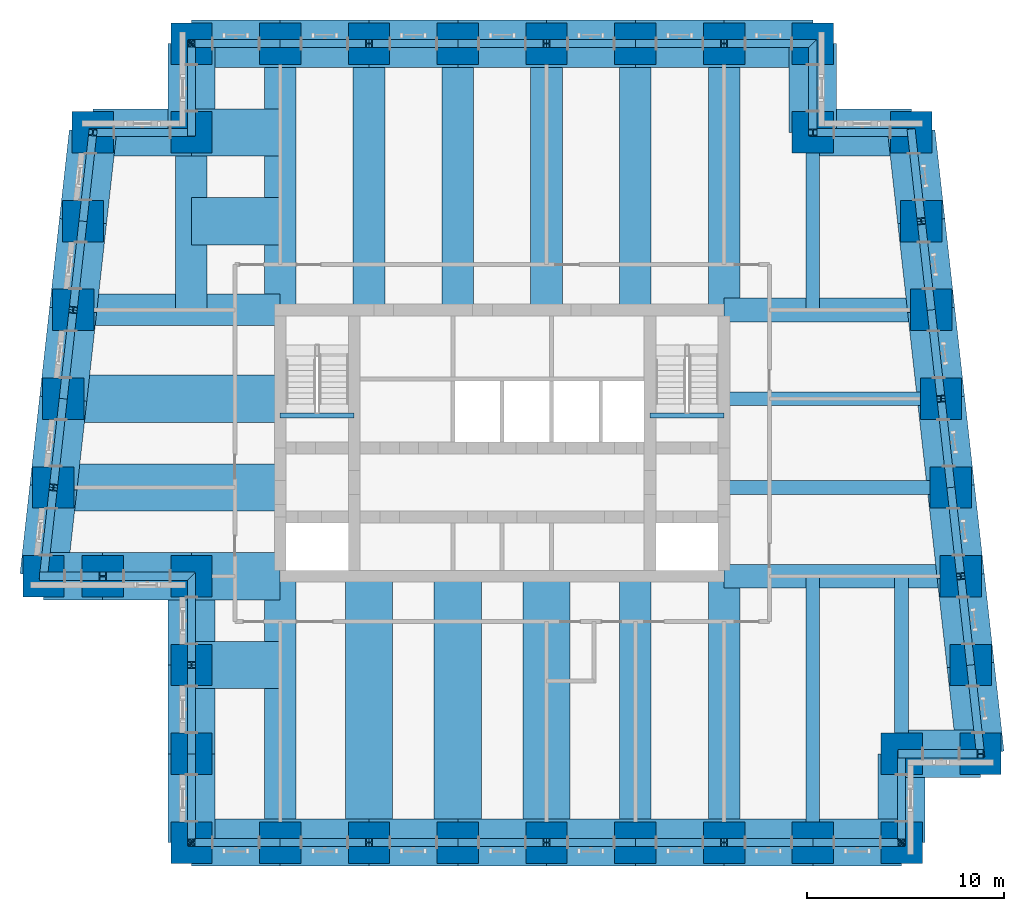
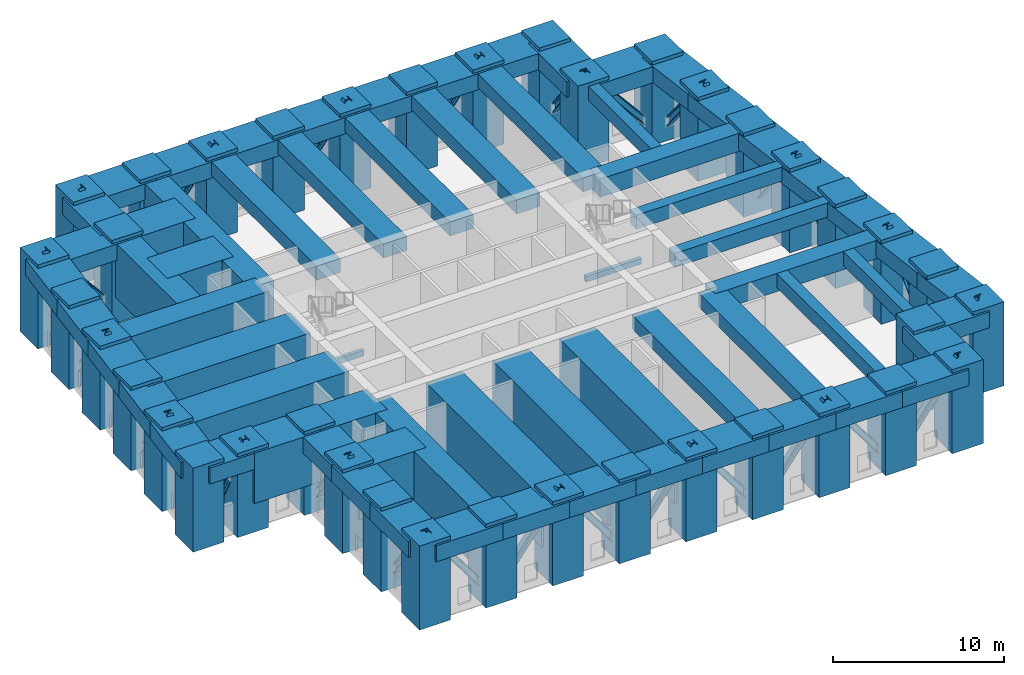
# One storey, part 1 of 17: 67 beams, 38 columns, 38 members.
"""IFC4 building model written with IfcOpenShell, lengths in metres."""

import ifcopenshell
import ifcopenshell.guid

model = None  # the IFC model being written
_history = None  # IfcOwnerHistory: only IFC2X3 demands one
_inside = {}  # id of a spatial element -> (the spatial element, [elements in it])
_under = {}  # id of a project, library or spatial element -> (it, [spatial elements below it])
_declared = {}  # id of a project -> (the project, [libraries it declares])
_typed = {}  # id of a type object -> (the type object, [elements of that type])
_made_of = {}  # id of a material, layer set ... -> (it, [elements and type objects made of it])


def new_model(schema):
    """Start an empty IFC model of exactly this schema.

    Asked for "IFC4X3", IfcOpenShell would pick the latest addendum, in which some entities
    have other attributes; the version numbers below select the first issue.
    IFC2X3 requires an IfcOwnerHistory on every rooted entity: one is made here for all.
    """
    global model, _history
    if schema == "IFC4X3":
        model = ifcopenshell.file(schema_version=(4, 3, 0, 0))
    else:
        model = ifcopenshell.file(schema=schema)
    _inside.clear()
    _under.clear()
    _declared.clear()
    _typed.clear()
    _made_of.clear()
    _history = None
    if model.schema == "IFC2X3":
        org = make("IfcOrganization", Name="unknown")
        user = make(
            "IfcPersonAndOrganization",
            ThePerson=make("IfcPerson", FamilyName="unknown"),
            TheOrganization=org,
        )
        app = make(
            "IfcApplication",
            ApplicationDeveloper=org,
            Version="unknown",
            ApplicationFullName="unknown",
            ApplicationIdentifier="unknown",
        )
        _history = make(
            "IfcOwnerHistory",
            OwningUser=user,
            OwningApplication=app,
            ChangeAction="ADDED",
            CreationDate=0,
        )
    return model


def make(cls, **values):
    """One entity of the class cls with the attributes given. An attribute that is None is left unset."""
    return model.create_entity(
        cls, **{name: value for name, value in values.items() if value is not None}
    )


def rooted(cls, **values):
    """An entity with a GlobalId (a new one), such as an element, a storey or a relation."""
    return make(cls, GlobalId=ifcopenshell.guid.new(), OwnerHistory=_history, **values)


def si_unit(unit_type, name, prefix=None):
    """IfcSIUnit, for example si_unit("LENGTHUNIT", "METRE", prefix="MILLI")."""
    return make("IfcSIUnit", UnitType=unit_type, Prefix=prefix, Name=name)


def assignment(units):
    """IfcUnitAssignment: the units of a project."""
    return None if units is None else make("IfcUnitAssignment", Units=units)


def point(xyz):
    """IfcCartesianPoint."""
    return None if xyz is None else make("IfcCartesianPoint", Coordinates=xyz)


def direction(xyz):
    """IfcDirection."""
    return None if xyz is None else make("IfcDirection", DirectionRatios=xyz)


def frame(location, z_axis=None, x_axis=None):
    """IfcAxis2Placement3D, a coordinate frame: its origin and axes. An axis left out is left unset."""
    return make(
        "IfcAxis2Placement3D",
        Location=point(location),
        Axis=direction(z_axis),
        RefDirection=direction(x_axis),
    )


def frame_2d(location, x_axis=None):
    """IfcAxis2Placement2D, a coordinate frame in the plane: its origin and x axis."""
    return make(
        "IfcAxis2Placement2D", Location=point(location), RefDirection=direction(x_axis)
    )


def origin():
    """The frame at (0, 0, 0) with its axes left unset."""
    return frame((0.0, 0.0, 0.0))


def origin_2d():
    """The frame at (0, 0) in the plane with its x axis left unset."""
    return frame_2d((0.0, 0.0))


def place(relative_to, where):
    """IfcLocalPlacement: puts the frame where relative to a parent placement (None: the world)."""
    return make(
        "IfcLocalPlacement", PlacementRelTo=relative_to, RelativePlacement=where
    )


def context(
    kind, dimensions, precision=None, world=None, true_north=None, identifier=None
):
    """IfcGeometricRepresentationContext, for example the 3D "Model" context."""
    return make(
        "IfcGeometricRepresentationContext",
        ContextIdentifier=identifier,
        ContextType=kind,
        CoordinateSpaceDimension=dimensions,
        Precision=precision,
        WorldCoordinateSystem=world,
        TrueNorth=true_north,
    )


def subcontext(parent, identifier, kind, view, scale=None):
    """IfcGeometricRepresentationSubContext, for example "Body" below "Model"."""
    return make(
        "IfcGeometricRepresentationSubContext",
        ContextIdentifier=identifier,
        ContextType=kind,
        ParentContext=parent,
        TargetScale=scale,
        TargetView=view,
    )


def project(units=None, contexts=None):
    """IfcProject with its units and contexts."""
    return rooted(
        "IfcProject",
        Name="project",
        RepresentationContexts=contexts,
        UnitsInContext=assignment(units),
    )


def spatial(cls, under=None, at=None, **own):
    """A site, building, storey or space (cls), placed at a placement, below another one or the project."""
    s = rooted(cls, ObjectPlacement=at, **own)
    if under is not None:
        _under.setdefault(under.id(), (under, []))[1].append(s)
    return s


def profile(cls, at=None, kind="AREA", **sizes):
    """A parametric profile (cls). Its sizes go by their IFC names, for example OverallWidth=200.0."""
    return make(cls, ProfileType=kind, Position=at, **sizes)


def rectangle(**sizes):
    """IfcRectangleProfileDef."""
    return profile("IfcRectangleProfileDef", **sizes)


def i_section(**sizes):
    """IfcIShapeProfileDef."""
    return profile("IfcIShapeProfileDef", **sizes)


def extrude(swept, where, along, depth):
    """IfcExtrudedAreaSolid: the profile swept, set in the frame where, extruded along a direction by depth."""
    return make(
        "IfcExtrudedAreaSolid",
        SweptArea=swept,
        Position=where,
        ExtrudedDirection=direction(along),
        Depth=depth,
    )


def shape(context_of_items, identifier, shape_type, items):
    """IfcShapeRepresentation: the items that make up one representation, for example the "Body"."""
    return make(
        "IfcShapeRepresentation",
        ContextOfItems=context_of_items,
        RepresentationIdentifier=identifier,
        RepresentationType=shape_type,
        Items=items,
    )


def material(Name=None, Category=None):
    """IfcMaterial."""
    return make("IfcMaterial", Name=Name, Category=Category)


def material_profile(
    of_material, cross_section, Name=None, Category=None, Priority=None
):
    """IfcMaterialProfile: a cross section and its material."""
    return make(
        "IfcMaterialProfile",
        Name=Name,
        Material=of_material,
        Profile=cross_section,
        Priority=Priority,
        Category=Category,
    )


def profile_set(profiles, Name=None, composite=None):
    """IfcMaterialProfileSet."""
    return make(
        "IfcMaterialProfileSet",
        Name=Name,
        MaterialProfiles=profiles,
        CompositeProfile=composite,
    )


def made_of(thing, what):
    """Note that an element or type object is made of a material, layer set ...; save() writes the relation."""
    if what is not None:
        _made_of.setdefault(what.id(), (what, []))[1].append(thing)
    return thing


def type_object(cls, material=None, **own):
    """A type object (cls), such as IfcWallType, which elements share."""
    return made_of(rooted(cls, **own), material)


def element(
    cls,
    number,
    at=None,
    inside=None,
    cuts=None,
    type_object=None,
    material=None,
    context=None,
    identifier="Body",
    shape_type=None,
    held_by="IfcProductDefinitionShape",
    body=None,
    shapes=None,
    **own,
):
    """One element of the class cls, such as IfcWall. Its Tag is "e" and its number.

    at: its placement. inside: the storey or other place that contains it. cuts: it is an
    opening in that element (IfcRelVoidsElement). A single representation is given by context,
    identifier, shape_type and body (its items); several are given by shapes. held_by: the class
    of the entity that holds the representations. save() writes the other relations.
    """
    e = rooted(cls, Tag="e%d" % number, ObjectPlacement=at, **own)
    if body is not None:
        shapes = [shape(context, identifier, shape_type, body)]
    if shapes is not None:
        e.Representation = make(held_by, Representations=shapes)
    if inside is not None:
        _inside.setdefault(inside.id(), (inside, []))[1].append(e)
    if cuts is not None:
        rooted(
            "IfcRelVoidsElement", RelatingBuildingElement=cuts, RelatedOpeningElement=e
        )
    if type_object is not None:
        _typed.setdefault(type_object.id(), (type_object, []))[1].append(e)
    return made_of(e, material)


def aggregate(whole, parts):
    """IfcRelAggregates: a whole, such as a stair, and the parts it consists of."""
    return rooted("IfcRelAggregates", RelatingObject=whole, RelatedObjects=parts)


def save(model, path):
    """Write the relations noted so far, then the file.

    IfcRelAggregates (storeys below a building ...), IfcRelContainedInSpatialStructure (elements
    in a storey), IfcRelDefinesByType, IfcRelAssociatesMaterial and IfcRelDeclares: one each for
    every whole, place, type object, material and project.
    """
    for whole, parts in _under.values():
        aggregate(whole, parts)
    for where, things in _inside.values():
        rooted(
            "IfcRelContainedInSpatialStructure",
            RelatedElements=things,
            RelatingStructure=where,
        )
    for kind, things in _typed.values():
        rooted("IfcRelDefinesByType", RelatedObjects=things, RelatingType=kind)
    for what, things in _made_of.values():
        rooted("IfcRelAssociatesMaterial", RelatedObjects=things, RelatingMaterial=what)
    for by, libraries in _declared.values():
        rooted("IfcRelDeclares", RelatingContext=by, RelatedDefinitions=libraries)
    model.write(path)


model = new_model("IFC4")

# Units and contexts
model_context = context("Model", 3, precision=1e-05, world=origin(), true_north=direction((0.0, 1.0)))
body_context = subcontext(model_context, "Body", "Model", "MODEL_VIEW")
ifc_project = project(units=[si_unit("LENGTHUNIT", "METRE"), si_unit("AREAUNIT", "SQUARE_METRE"), si_unit("VOLUMEUNIT", "CUBIC_METRE"), si_unit("PLANEANGLEUNIT", "RADIAN"), si_unit("MASSUNIT", "GRAM", prefix="KILO")], contexts=[model_context])

# Site, building, storey
site_placement = place(None, origin())
site = spatial("IfcSite", under=ifc_project, at=site_placement, CompositionType="ELEMENT")
building_placement = place(site_placement, origin())
building = spatial("IfcBuilding", under=site, at=building_placement, Name="Kilele Tower Hotel", CompositionType="ELEMENT")
storey_placement = place(building_placement, frame((0.0, 0.0, 211.39990234375)))
storey = spatial("IfcBuildingStorey", under=building, at=storey_placement, Name="L55", CompositionType="ELEMENT", Elevation=211.39990234375)

# Columns
ifc_material_1 = material(Name="Concrete C60/75", Category="concrete")
ifc_material_profile_1 = material_profile(ifc_material_1, rectangle(XDim=2.10009765625, YDim=2.10009765625, at=origin_2d()))
ifc_profile_set_1 = profile_set([ifc_material_profile_1], Name="Concrete C60/75")
column_type = type_object("IfcColumnType", Name="Tube column RC 2100x2100 C60/75", PredefinedType="COLUMN", material=ifc_profile_set_1)
for number, where, z_axis, x_axis, name in (
    (1, (1.5, 13.5, 0.0), (0.0, 0.0, 1.0), (1.0, 0.0, 0.0), "Column TC7 L55"),
    (2, (4.5, 13.5, 0.0), (0.0, 0.0, 1.0), (1.0, 0.0, 0.0), "Column TC7 L55"),
    (3, (9.0, 13.5, 0.0), (0.0, 0.0, 1.0), (1.0, 0.0, 0.0), "Column TC7 L55"),
    (4, (9.0, 9.0, 0.0), (0.0, 0.0, 1.0), (1.0, 0.0, 0.0), "Column TC7 L55"),
    (5, (9.0, 4.5, 0.0), (0.0, 0.0, 1.0), (1.0, 0.0, 0.0), "Column TC7 L55"),
    (6, (9.0, 0.0, 0.0), (0.0, 0.0, 1.0), (1.0, 0.0, 0.0), "Column TC7 L55"),
    (7, (13.5, 0.0, 0.0), (0.0, 0.0, 1.0), (1.0, 0.0, 0.0), "Column TC7 L55"),
    (8, (18.0, 0.0, 0.0), (0.0, 0.0, 1.0), (1.0, 0.0, 0.0), "Column TC7 L55"),
    (9, (22.5, 0.0, 0.0), (0.0, 0.0, 1.0), (1.0, 0.0, 0.0), "Column TC7 L55"),
    (10, (27.0, 0.0, 0.0), (0.0, 0.0, 1.0), (1.0, 0.0, 0.0), "Column TC7 L55"),
    (11, (31.5, 0.0, 0.0), (0.0, 0.0, 1.0), (1.0, 0.0, 0.0), "Column TC7 L55"),
    (12, (36.0, 0.0, 0.0), (0.0, 0.0, 1.0), (1.0, 0.0, 0.0), "Column TC7 L55"),
    (13, (40.5, 0.0, 0.0), (0.0, 0.0, 1.0), (1.0, 0.0, 0.0), "Column TC7 L55"),
    (14, (45.0, 0.0, 0.0), (0.0, 0.0, 1.0), (1.0, 0.0, 0.0), "Column TC7 L55"),
    (15, (45.0, 4.5, 0.0), (0.0, 0.0, 1.0), (1.0, 0.0, 0.0), "Column TC7 L55"),
    (16, (49.0, 4.5, 0.0), (0.0, 0.0, 1.0), (1.0, 0.0, 0.0), "Column TC7 L55"),
    (17, (48.5, 9.0, 0.0), (0.0, 0.0, 1.0), (1.0, 0.0, 0.0), "Column TC7 L55"),
    (18, (48.0, 13.5, 0.0), (0.0, 0.0, 1.0), (1.0, 0.0, 0.0), "Column TC7 L55"),
    (19, (47.5, 18.0, 0.0), (0.0, 0.0, 1.0), (1.0, 0.0, 0.0), "Column TC7 L55"),
    (20, (47.0, 22.5, 0.0), (0.0, 0.0, 1.0), (1.0, 0.0, 0.0), "Column TC7 L55"),
    (21, (46.5, 27.0, 0.0), (0.0, 0.0, 1.0), (1.0, 0.0, 0.0), "Column TC7 L55"),
    (22, (46.0, 31.5, 0.0), (0.0, 0.0, 1.0), (1.0, 0.0, 0.0), "Column TC7 L55"),
    (23, (45.5, 36.0, 0.0), (0.0, 0.0, 1.0), (1.0, 0.0, 0.0), "Column TC7 L55"),
    (24, (40.5, 36.0, 0.0), (0.0, 0.0, 1.0), (1.0, 0.0, 0.0), "Column TC7 L55"),
    (25, (40.5, 40.5, 0.0), (0.0, 0.0, 1.0), (1.0, 0.0, 0.0), "Column TC7 L55"),
    (26, (36.0, 40.5, 0.0), (0.0, 0.0, 1.0), (1.0, 0.0, 0.0), "Column TC7 L55"),
    (27, (31.5, 40.5, 0.0), (0.0, 0.0, 1.0), (1.0, 0.0, 0.0), "Column TC7 L55"),
    (28, (27.0, 40.5, 0.0), (0.0, 0.0, 1.0), (1.0, 0.0, 0.0), "Column TC7 L55"),
    (29, (22.5, 40.5, 0.0), (0.0, 0.0, 1.0), (1.0, 0.0, 0.0), "Column TC7 L55"),
    (30, (18.0, 40.5, 0.0), (0.0, 0.0, 1.0), (1.0, 0.0, 0.0), "Column TC7 L55"),
    (31, (13.5, 40.5, 0.0), (0.0, 0.0, 1.0), (1.0, 0.0, 0.0), "Column TC7 L55"),
    (32, (9.0, 40.5, 0.0), (0.0, 0.0, 1.0), (1.0, 0.0, 0.0), "Column TC7 L55"),
    (33, (9.0, 36.0, 0.0), (0.0, 0.0, 1.0), (1.0, 0.0, 0.0), "Column TC7 L55"),
    (34, (4.0, 36.0, 0.0), (0.0, 0.0, 1.0), (1.0, 0.0, 0.0), "Column TC7 L55"),
    (35, (3.5, 31.5, 0.0), (0.0, 0.0, 1.0), (1.0, 0.0, 0.0), "Column TC7 L55"),
    (36, (3.0, 27.0, 0.0), (0.0, 0.0, 1.0), (1.0, 0.0, 0.0), "Column TC7 L55"),
    (37, (2.5, 22.5, 0.0), (0.0, 0.0, 1.0), (1.0, 0.0, 0.0), "Column TC7 L55"),
    (38, (2.0, 18.0, 0.0), (0.0, 0.0, 1.0), (1.0, 0.0, 0.0), "Column TC7 L55"),
):
    element("IfcColumn", number, at=place(storey_placement, frame(where, z_axis=z_axis, x_axis=x_axis)), inside=storey, type_object=column_type, Name=name, PredefinedType="COLUMN", context=body_context, shape_type="SweptSolid", body=[
        extrude(rectangle(XDim=2.10009765625, YDim=2.10009765625, at=origin_2d()), origin(), (0.0, 0.0, 1.0), 6.0),
    ])

# Beams
ifc_material_2 = material(Name="Concrete C60/75", Category="concrete")
ifc_material_profile_2 = material_profile(ifc_material_2, rectangle(XDim=1.60009765625, YDim=1.0, at=origin_2d()))
ifc_profile_set_2 = profile_set([ifc_material_profile_2], Name="Concrete C60/75")
beam_type_1 = type_object("IfcBeamType", Name="Beam RC 1600x1000 C60/75", PredefinedType="BEAM", material=ifc_profile_set_2)
for number, where, z_axis, x_axis, name in (
    (39, (31.5, 0.0, 5.25), (0.0, 1.0, 0.0), (-1.0, 0.0, 0.0), "Beam BC1 level L56"),
    (40, (36.0, 0.0, 5.25), (0.0, 1.0, 0.0), (-1.0, 0.0, 0.0), "Beam BC1 level L56"),
    (41, (36.0, 40.5, 5.25), (0.0, -1.0, 0.0), (1.0, 0.0, 0.0), "Beam BC1 level L56"),
    (42, (31.5, 40.5, 5.25), (0.0, -1.0, 0.0), (1.0, 0.0, 0.0), "Beam BC1 level L56"),
    (43, (27.0, 40.5, 5.25), (0.0, -1.0, 0.0), (1.0, 0.0, 0.0), "Beam BC1 level L56"),
    (44, (22.5, 40.5, 5.25), (0.0, -1.0, 0.0), (1.0, 0.0, 0.0), "Beam BC1 level L56"),
    (45, (18.0, 40.5, 5.25), (0.0, -1.0, 0.0), (1.0, 0.0, 0.0), "Beam BC1 level L56"),
):
    element("IfcBeam", number, at=place(storey_placement, frame(where, z_axis=z_axis, x_axis=x_axis)), inside=storey, type_object=beam_type_1, Name=name, PredefinedType="BEAM", context=body_context, shape_type="SweptSolid", body=[
        extrude(rectangle(XDim=1.60009765625, YDim=1.0, at=origin_2d()), origin(), (0.0, 0.0, 1.0), 13.5),
    ])
ifc_material_3 = material(Name="Concrete C60/75", Category="concrete")
ifc_material_profile_3 = material_profile(ifc_material_3, rectangle(XDim=0.699951171875, YDim=1.0, at=origin_2d()))
ifc_profile_set_3 = profile_set([ifc_material_profile_3], Name="Concrete C60/75")
beam_type_2 = type_object("IfcBeamType", Name="Beam RC 700x1000 C60/75", PredefinedType="BEAM", material=ifc_profile_set_3)
beam_1_placement = place(storey_placement, frame((40.5, 0.0, 5.25), z_axis=(0.0, 1.0, 0.0), x_axis=(-1.0, 0.0, 0.0)))
element("IfcBeam", 46, at=beam_1_placement, inside=storey, type_object=beam_type_2, Name="Beam B4 level L56", PredefinedType="BEAM", context=body_context, shape_type="SweptSolid", body=[
    extrude(rectangle(XDim=0.699951171875, YDim=1.0, at=origin_2d()), origin(), (0.0, 0.0, 1.0), 13.5),
])
ifc_material_4 = material(Name="Concrete C60/75", Category="concrete")
ifc_material_profile_4 = material_profile(ifc_material_4, rectangle(XDim=0.699951171875, YDim=1.0, at=origin_2d()))
ifc_profile_set_4 = profile_set([ifc_material_profile_4], Name="Concrete C60/75")
beam_type_3 = type_object("IfcBeamType", Name="Beam RC 700x1000 C60/75 mid span", PredefinedType="BEAM", material=ifc_profile_set_4)
beam_2_placement = place(storey_placement, frame((45.0, 4.5, 5.25), z_axis=(0.0, 1.0, 0.0), x_axis=(-1.0, 0.0, 0.0)))
element("IfcBeam", 47, at=beam_2_placement, inside=storey, type_object=beam_type_3, Name="Beam B5 level L56", PredefinedType="BEAM", context=body_context, shape_type="SweptSolid", body=[
    extrude(rectangle(XDim=0.699951171875, YDim=1.0, at=origin_2d()), origin(), (0.0, 0.0, 1.0), 9.0),
])
beam_3_placement = place(storey_placement, frame((47.5, 18.0, 5.25), z_axis=(-1.0, 0.0, 0.0), x_axis=(0.0, -1.0, 0.0)))
element("IfcBeam", 48, at=beam_3_placement, inside=storey, type_object=beam_type_3, Name="Beam B5 level L56", PredefinedType="BEAM", context=body_context, shape_type="SweptSolid", body=[
    extrude(rectangle(XDim=0.699951171875, YDim=1.0, at=origin_2d()), origin(), (0.0, 0.0, 1.0), 11.5),
])
beam_4_placement = place(storey_placement, frame((47.0, 22.5, 5.25), z_axis=(-1.0, 0.0, 0.0), x_axis=(0.0, -1.0, 0.0)))
element("IfcBeam", 49, at=beam_4_placement, inside=storey, type_object=beam_type_3, Name="Beam B5 level L56", PredefinedType="BEAM", context=body_context, shape_type="SweptSolid", body=[
    extrude(rectangle(XDim=0.699951171875, YDim=1.0, at=origin_2d()), origin(), (0.0, 0.0, 1.0), 11.0),
])
beam_5_placement = place(storey_placement, frame((40.5, 36.0, 5.25), z_axis=(0.0, -1.0, 0.0), x_axis=(1.0, 0.0, 0.0)))
element("IfcBeam", 50, at=beam_5_placement, inside=storey, type_object=beam_type_3, Name="Beam B5 level L56", PredefinedType="BEAM", context=body_context, shape_type="SweptSolid", body=[
    extrude(rectangle(XDim=0.699951171875, YDim=1.0, at=origin_2d()), origin(), (0.0, 0.0, 1.0), 9.0),
])

# Members
ifc_material_5 = material(Name="Steel S355", Category="steel")
ifc_material_profile_5 = material_profile(ifc_material_5, i_section(OverallWidth=0.412109375, OverallDepth=0.4365234375, WebThickness=0.035888671875, FlangeThickness=0.05810546875, FilletRadius=0.01513671875, at=origin_2d()))
ifc_profile_set_5 = profile_set([ifc_material_profile_5], Name="Steel S355")
member_type = type_object("IfcMemberType", Name="Belt truss diagonal UKC 356x406x467", PredefinedType="BRACE", material=ifc_profile_set_5)
member_1_placement = place(storey_placement, frame((1.5, 13.5, 0.0), z_axis=(0.4472135955, 0.0, 0.894427191), x_axis=(0.0, 1.0, 0.0)))
element("IfcMember", 51, at=member_1_placement, inside=storey, type_object=member_type, Name="Belt truss diagonal L55 bay 1", PredefinedType="BRACE", context=body_context, shape_type="SweptSolid", body=[
    extrude(i_section(OverallWidth=0.412109375, OverallDepth=0.4365234375, WebThickness=0.035888671875, FlangeThickness=0.05810546875, FilletRadius=0.01513671875, at=origin_2d()), origin(), (0.0, 0.0, 1.0), 6.708251953125),
])
for number, where, z_axis, x_axis, name in (
    (52, (4.5, 13.5, 6.0), (0.6, 0.0, -0.8), (0.0, 1.0, 0.0), "Belt truss diagonal L55 bay 2"),
    (53, (9.0, 13.5, 0.0), (0.0, -0.6, 0.8), (1.0, 0.0, 0.0), "Belt truss diagonal L55 bay 3"),
    (54, (9.0, 9.0, 6.0), (0.0, -0.6, -0.8), (1.0, 0.0, 0.0), "Belt truss diagonal L55 bay 4"),
    (55, (9.0, 4.5, 0.0), (0.0, -0.6, 0.8), (1.0, 0.0, 0.0), "Belt truss diagonal L55 bay 5"),
    (56, (9.0, 0.0, 6.0), (0.6, 0.0, -0.8), (0.0, 1.0, 0.0), "Belt truss diagonal L55 bay 6"),
    (57, (13.5, 0.0, 0.0), (0.6, 0.0, 0.8), (0.0, 1.0, 0.0), "Belt truss diagonal L55 bay 7"),
    (58, (18.0, 0.0, 6.0), (0.6, 0.0, -0.8), (0.0, 1.0, 0.0), "Belt truss diagonal L55 bay 8"),
    (59, (22.5, 0.0, 0.0), (0.6, 0.0, 0.8), (0.0, 1.0, 0.0), "Belt truss diagonal L55 bay 9"),
    (60, (27.0, 0.0, 6.0), (0.6, 0.0, -0.8), (0.0, 1.0, 0.0), "Belt truss diagonal L55 bay 10"),
    (61, (31.5, 0.0, 0.0), (0.6, 0.0, 0.8), (0.0, 1.0, 0.0), "Belt truss diagonal L55 bay 11"),
    (62, (36.0, 0.0, 6.0), (0.6, 0.0, -0.8), (0.0, 1.0, 0.0), "Belt truss diagonal L55 bay 12"),
    (63, (40.5, 0.0, 0.0), (0.6, 0.0, 0.8), (0.0, 1.0, 0.0), "Belt truss diagonal L55 bay 13"),
    (64, (45.0, 0.0, 6.0), (0.0, 0.6, -0.8), (-1.0, 0.0, 0.0), "Belt truss diagonal L55 bay 14"),
):
    element("IfcMember", number, at=place(storey_placement, frame(where, z_axis=z_axis, x_axis=x_axis)), inside=storey, type_object=member_type, Name=name, PredefinedType="BRACE", context=body_context, shape_type="SweptSolid", body=[
        extrude(i_section(OverallWidth=0.412109375, OverallDepth=0.4365234375, WebThickness=0.035888671875, FlangeThickness=0.05810546875, FilletRadius=0.01513671875, at=origin_2d()), origin(), (0.0, 0.0, 1.0), 7.5),
    ])
member_2_placement = place(storey_placement, frame((45.0, 4.5, 0.0), z_axis=(0.554700196225, 0.0, 0.832050294338), x_axis=(0.0, 1.0, 0.0)))
element("IfcMember", 65, at=member_2_placement, inside=storey, type_object=member_type, Name="Belt truss diagonal L55 bay 15", PredefinedType="BRACE", context=body_context, shape_type="SweptSolid", body=[
    extrude(i_section(OverallWidth=0.412109375, OverallDepth=0.4365234375, WebThickness=0.035888671875, FlangeThickness=0.05810546875, FilletRadius=0.01513671875, at=origin_2d()), origin(), (0.0, 0.0, 1.0), 7.211181640625),
])
for number, where, z_axis, x_axis, name in (
    (66, (49.0, 4.5, 6.0), (-0.066519010524, 0.598671094714, -0.798228126285), (-0.993883734674, -0.110431526075, 0.0), "Belt truss diagonal L55 bay 16"),
    (67, (48.5, 9.0, 0.0), (-0.066519010524, 0.598671094714, 0.798228126285), (-0.993883734674, -0.110431526075, 0.0), "Belt truss diagonal L55 bay 17"),
    (68, (48.0, 13.5, 6.0), (-0.066519010524, 0.598671094714, -0.798228126285), (-0.993883734674, -0.110431526075, 0.0), "Belt truss diagonal L55 bay 18"),
    (69, (47.5, 18.0, 0.0), (-0.066519010524, 0.598671094714, 0.798228126285), (-0.993883734674, -0.110431526075, 0.0), "Belt truss diagonal L55 bay 19"),
    (70, (47.0, 22.5, 6.0), (-0.066519010524, 0.598671094714, -0.798228126285), (-0.993883734674, -0.110431526075, 0.0), "Belt truss diagonal L55 bay 20"),
    (71, (46.5, 27.0, 0.0), (-0.066519010524, 0.598671094714, 0.798228126285), (-0.993883734674, -0.110431526075, 0.0), "Belt truss diagonal L55 bay 21"),
    (72, (46.0, 31.5, 6.0), (-0.066519010524, 0.598671094714, -0.798228126285), (-0.993883734674, -0.110431526075, 0.0), "Belt truss diagonal L55 bay 22"),
):
    element("IfcMember", number, at=place(storey_placement, frame(where, z_axis=z_axis, x_axis=x_axis)), inside=storey, type_object=member_type, Name=name, PredefinedType="BRACE", context=body_context, shape_type="SweptSolid", body=[
        extrude(i_section(OverallWidth=0.412109375, OverallDepth=0.4365234375, WebThickness=0.035888671875, FlangeThickness=0.05810546875, FilletRadius=0.01513671875, at=origin_2d()), origin(), (0.0, 0.0, 1.0), 7.5166015625),
    ])
member_3_placement = place(storey_placement, frame((45.5, 36.0, 0.0), z_axis=(-0.640184399664, 0.0, 0.768221279597), x_axis=(0.0, -1.0, 0.0)))
element("IfcMember", 73, at=member_3_placement, inside=storey, type_object=member_type, Name="Belt truss diagonal L55 bay 23", PredefinedType="BRACE", context=body_context, shape_type="SweptSolid", body=[
    extrude(i_section(OverallWidth=0.412109375, OverallDepth=0.4365234375, WebThickness=0.035888671875, FlangeThickness=0.05810546875, FilletRadius=0.01513671875, at=origin_2d()), origin(), (0.0, 0.0, 1.0), 7.810302734375),
])
for number, where, z_axis, x_axis, name in (
    (74, (40.5, 36.0, 6.0), (0.0, 0.6, -0.8), (-1.0, 0.0, 0.0), "Belt truss diagonal L55 bay 24"),
    (75, (40.5, 40.5, 0.0), (-0.6, 0.0, 0.8), (0.0, -1.0, 0.0), "Belt truss diagonal L55 bay 25"),
    (76, (36.0, 40.5, 6.0), (-0.6, 0.0, -0.8), (0.0, -1.0, 0.0), "Belt truss diagonal L55 bay 26"),
    (77, (31.5, 40.5, 0.0), (-0.6, 0.0, 0.8), (0.0, -1.0, 0.0), "Belt truss diagonal L55 bay 27"),
    (78, (27.0, 40.5, 6.0), (-0.6, 0.0, -0.8), (0.0, -1.0, 0.0), "Belt truss diagonal L55 bay 28"),
    (79, (22.5, 40.5, 0.0), (-0.6, 0.0, 0.8), (0.0, -1.0, 0.0), "Belt truss diagonal L55 bay 29"),
    (80, (18.0, 40.5, 6.0), (-0.6, 0.0, -0.8), (0.0, -1.0, 0.0), "Belt truss diagonal L55 bay 30"),
    (81, (13.5, 40.5, 0.0), (-0.6, 0.0, 0.8), (0.0, -1.0, 0.0), "Belt truss diagonal L55 bay 31"),
    (82, (9.0, 40.5, 6.0), (0.0, -0.6, -0.8), (1.0, 0.0, 0.0), "Belt truss diagonal L55 bay 32"),
):
    element("IfcMember", number, at=place(storey_placement, frame(where, z_axis=z_axis, x_axis=x_axis)), inside=storey, type_object=member_type, Name=name, PredefinedType="BRACE", context=body_context, shape_type="SweptSolid", body=[
        extrude(i_section(OverallWidth=0.412109375, OverallDepth=0.4365234375, WebThickness=0.035888671875, FlangeThickness=0.05810546875, FilletRadius=0.01513671875, at=origin_2d()), origin(), (0.0, 0.0, 1.0), 7.5),
    ])
member_4_placement = place(storey_placement, frame((9.0, 36.0, 0.0), z_axis=(-0.640184399664, 0.0, 0.768221279597), x_axis=(0.0, -1.0, 0.0)))
element("IfcMember", 83, at=member_4_placement, inside=storey, type_object=member_type, Name="Belt truss diagonal L55 bay 33", PredefinedType="BRACE", context=body_context, shape_type="SweptSolid", body=[
    extrude(i_section(OverallWidth=0.412109375, OverallDepth=0.4365234375, WebThickness=0.035888671875, FlangeThickness=0.05810546875, FilletRadius=0.01513671875, at=origin_2d()), origin(), (0.0, 0.0, 1.0), 7.810302734375),
])
for number, where, z_axis, x_axis, name in (
    (84, (4.0, 36.0, 6.0), (-0.066519010524, -0.598671094714, -0.798228126285), (0.993883734674, -0.110431526075, 0.0), "Belt truss diagonal L55 bay 34"),
    (85, (3.5, 31.5, 0.0), (-0.066519010524, -0.598671094714, 0.798228126285), (0.993883734674, -0.110431526075, 0.0), "Belt truss diagonal L55 bay 35"),
    (86, (3.0, 27.0, 6.0), (-0.066519010524, -0.598671094714, -0.798228126285), (0.993883734674, -0.110431526075, 0.0), "Belt truss diagonal L55 bay 36"),
    (87, (2.5, 22.5, 0.0), (-0.066519010524, -0.598671094714, 0.798228126285), (0.993883734674, -0.110431526075, 0.0), "Belt truss diagonal L55 bay 37"),
    (88, (2.0, 18.0, 6.0), (-0.066519010524, -0.598671094714, -0.798228126285), (0.993883734674, -0.110431526075, 0.0), "Belt truss diagonal L55 bay 38"),
):
    element("IfcMember", number, at=place(storey_placement, frame(where, z_axis=z_axis, x_axis=x_axis)), inside=storey, type_object=member_type, Name=name, PredefinedType="BRACE", context=body_context, shape_type="SweptSolid", body=[
        extrude(i_section(OverallWidth=0.412109375, OverallDepth=0.4365234375, WebThickness=0.035888671875, FlangeThickness=0.05810546875, FilletRadius=0.01513671875, at=origin_2d()), origin(), (0.0, 0.0, 1.0), 7.5166015625),
    ])

# Beams
ifc_material_6 = material(Name="Concrete C60/75", Category="concrete")
ifc_material_profile_6 = material_profile(ifc_material_6, rectangle(XDim=1.199951171875, YDim=1.300048828125, at=origin_2d()))
ifc_profile_set_6 = profile_set([ifc_material_profile_6], Name="Concrete C60/75")
beam_type_4 = type_object("IfcBeamType", Name="Girder RC 1200x1300 C60/75", PredefinedType="BEAM", material=ifc_profile_set_6)
beam_6_placement = place(storey_placement, frame((48.0, 13.5, 5.10009765625), z_axis=(-1.0, 0.0, 0.0), x_axis=(0.0, -1.0, 0.0)))
element("IfcBeam", 89, at=beam_6_placement, inside=storey, type_object=beam_type_4, Name="Girder G1 level L56", PredefinedType="BEAM", context=body_context, shape_type="SweptSolid", body=[
    extrude(rectangle(XDim=1.199951171875, YDim=1.300048828125, at=origin_2d()), origin(), (0.0, 0.0, 1.0), 12.0),
])
ifc_material_7 = material(Name="Concrete C60/75", Category="concrete")
ifc_material_profile_7 = material_profile(ifc_material_7, rectangle(XDim=1.199951171875, YDim=1.300048828125, at=origin_2d()))
ifc_profile_set_7 = profile_set([ifc_material_profile_7], Name="Concrete C60/75")
beam_type_5 = type_object("IfcBeamType", Name="Girder RC 1200x1300 C60/75 mid span", PredefinedType="BEAM", material=ifc_profile_set_7)
beam_7_placement = place(storey_placement, frame((46.5, 27.0, 5.10009765625), z_axis=(-1.0, 0.0, 0.0), x_axis=(0.0, -1.0, 0.0)))
element("IfcBeam", 90, at=beam_7_placement, inside=storey, type_object=beam_type_5, Name="Girder G3 level L56", PredefinedType="BEAM", context=body_context, shape_type="SweptSolid", body=[
    extrude(rectangle(XDim=1.199951171875, YDim=1.300048828125, at=origin_2d()), origin(), (0.0, 0.0, 1.0), 10.5),
])
ifc_material_8 = material(Name="Concrete C40/50", Category="concrete")
ifc_material_profile_8 = material_profile(ifc_material_8, rectangle(XDim=0.25, YDim=0.39990234375, at=origin_2d()))
ifc_profile_set_8 = profile_set([ifc_material_profile_8], Name="Concrete C40/50")
beam_type_6 = type_object("IfcBeamType", Name="Landing beam RC 250x400 C40/50", PredefinedType="BEAM", material=ifc_profile_set_8)
for number, where, z_axis, x_axis, name in (
    (91, (13.5, 21.64990234375, 2.857177734375), (1.0, 0.0, 0.0), (0.0, 1.0, 0.0), "Landing beam ST1 L55"),
    (92, (32.25, 21.64990234375, 2.857177734375), (1.0, 0.0, 0.0), (0.0, 1.0, 0.0), "Landing beam ST2 L55"),
):
    element("IfcBeam", number, at=place(storey_placement, frame(where, z_axis=z_axis, x_axis=x_axis)), inside=storey, type_object=beam_type_6, Name=name, PredefinedType="BEAM", context=body_context, shape_type="SweptSolid", body=[
        extrude(rectangle(XDim=0.25, YDim=0.39990234375, at=origin_2d()), origin(), (0.0, 0.0, 1.0), 3.75),
    ])
ifc_material_9 = material(Name="Concrete C60/75", Category="concrete")
ifc_material_profile_9 = material_profile(ifc_material_9, rectangle(XDim=2.39990234375, YDim=1.14990234375, at=origin_2d()))
ifc_profile_set_9 = profile_set([ifc_material_profile_9], Name="Concrete C60/75")
beam_type_7 = type_object("IfcBeamType", Name="Spandrel RC 2400x1150 C60/75", PredefinedType="SPANDREL", material=ifc_profile_set_9)
beam_8_placement = place(storey_placement, frame((1.5, 13.5, 5.175048828125), z_axis=(1.0, 0.0, 0.0), x_axis=(0.0, 1.0, 0.0)))
element("IfcBeam", 93, at=beam_8_placement, inside=storey, type_object=beam_type_7, Name="Spandrel SP9 level L56", PredefinedType="SPANDREL", context=body_context, shape_type="SweptSolid", body=[
    extrude(rectangle(XDim=2.39990234375, YDim=1.14990234375, at=origin_2d()), origin(), (0.0, 0.0, 1.0), 3.0),
])
for number, where, z_axis, x_axis, name in (
    (94, (9.0, 13.5, 5.175048828125), (0.0, -1.0, 0.0), (1.0, 0.0, 0.0), "Spandrel SP9 level L56"),
    (95, (9.0, 9.0, 5.175048828125), (0.0, -1.0, 0.0), (1.0, 0.0, 0.0), "Spandrel SP9 level L56"),
    (96, (9.0, 4.5, 5.175048828125), (0.0, -1.0, 0.0), (1.0, 0.0, 0.0), "Spandrel SP9 level L56"),
    (97, (9.0, 0.0, 5.175048828125), (1.0, 0.0, 0.0), (0.0, 1.0, 0.0), "Spandrel SP9 level L56"),
    (98, (13.5, 0.0, 5.175048828125), (1.0, 0.0, 0.0), (0.0, 1.0, 0.0), "Spandrel SP9 level L56"),
    (99, (18.0, 0.0, 5.175048828125), (1.0, 0.0, 0.0), (0.0, 1.0, 0.0), "Spandrel SP9 level L56"),
    (100, (22.5, 0.0, 5.175048828125), (1.0, 0.0, 0.0), (0.0, 1.0, 0.0), "Spandrel SP9 level L56"),
    (101, (27.0, 0.0, 5.175048828125), (1.0, 0.0, 0.0), (0.0, 1.0, 0.0), "Spandrel SP9 level L56"),
    (102, (31.5, 0.0, 5.175048828125), (1.0, 0.0, 0.0), (0.0, 1.0, 0.0), "Spandrel SP9 level L56"),
    (103, (36.0, 0.0, 5.175048828125), (1.0, 0.0, 0.0), (0.0, 1.0, 0.0), "Spandrel SP9 level L56"),
    (104, (40.5, 0.0, 5.175048828125), (1.0, 0.0, 0.0), (0.0, 1.0, 0.0), "Spandrel SP9 level L56"),
    (105, (45.0, 0.0, 5.175048828125), (0.0, 1.0, 0.0), (-1.0, 0.0, 0.0), "Spandrel SP9 level L56"),
):
    element("IfcBeam", number, at=place(storey_placement, frame(where, z_axis=z_axis, x_axis=x_axis)), inside=storey, type_object=beam_type_7, Name=name, PredefinedType="SPANDREL", context=body_context, shape_type="SweptSolid", body=[
        extrude(rectangle(XDim=2.39990234375, YDim=1.14990234375, at=origin_2d()), origin(), (0.0, 0.0, 1.0), 4.5),
    ])
beam_9_placement = place(storey_placement, frame((45.0, 4.5, 5.175048828125), z_axis=(1.0, 0.0, 0.0), x_axis=(0.0, 1.0, 0.0)))
element("IfcBeam", 106, at=beam_9_placement, inside=storey, type_object=beam_type_7, Name="Spandrel SP9 level L56", PredefinedType="SPANDREL", context=body_context, shape_type="SweptSolid", body=[
    extrude(rectangle(XDim=2.39990234375, YDim=1.14990234375, at=origin_2d()), origin(), (0.0, 0.0, 1.0), 4.0),
])
for number, where, z_axis, x_axis, name in (
    (107, (49.0, 4.5, 5.175048828125), (-0.110431526075, 0.993883734674, 0.0), (-0.993883734674, -0.110431526075, 0.0), "Spandrel SP9 level L56"),
    (108, (48.5, 9.0, 5.175048828125), (-0.110431526075, 0.993883734674, 0.0), (-0.993883734674, -0.110431526075, 0.0), "Spandrel SP9 level L56"),
    (109, (48.0, 13.5, 5.175048828125), (-0.110431526075, 0.993883734674, 0.0), (-0.993883734674, -0.110431526075, 0.0), "Spandrel SP9 level L56"),
    (110, (47.5, 18.0, 5.175048828125), (-0.110431526075, 0.993883734674, 0.0), (-0.993883734674, -0.110431526075, 0.0), "Spandrel SP9 level L56"),
    (111, (47.0, 22.5, 5.175048828125), (-0.110431526075, 0.993883734674, 0.0), (-0.993883734674, -0.110431526075, 0.0), "Spandrel SP9 level L56"),
    (112, (46.5, 27.0, 5.175048828125), (-0.110431526075, 0.993883734674, 0.0), (-0.993883734674, -0.110431526075, 0.0), "Spandrel SP9 level L56"),
    (113, (46.0, 31.5, 5.175048828125), (-0.110431526075, 0.993883734674, 0.0), (-0.993883734674, -0.110431526075, 0.0), "Spandrel SP9 level L56"),
):
    element("IfcBeam", number, at=place(storey_placement, frame(where, z_axis=z_axis, x_axis=x_axis)), inside=storey, type_object=beam_type_7, Name=name, PredefinedType="SPANDREL", context=body_context, shape_type="SweptSolid", body=[
        extrude(rectangle(XDim=2.39990234375, YDim=1.14990234375, at=origin_2d()), origin(), (0.0, 0.0, 1.0), 4.527587890625),
    ])
beam_10_placement = place(storey_placement, frame((45.5, 36.0, 5.175048828125), z_axis=(-1.0, 0.0, 0.0), x_axis=(0.0, -1.0, 0.0)))
element("IfcBeam", 114, at=beam_10_placement, inside=storey, type_object=beam_type_7, Name="Spandrel SP9 level L56", PredefinedType="SPANDREL", context=body_context, shape_type="SweptSolid", body=[
    extrude(rectangle(XDim=2.39990234375, YDim=1.14990234375, at=origin_2d()), origin(), (0.0, 0.0, 1.0), 5.0),
])
for number, where, z_axis, x_axis, name in (
    (115, (40.5, 36.0, 5.175048828125), (0.0, 1.0, 0.0), (-1.0, 0.0, 0.0), "Spandrel SP9 level L56"),
    (116, (40.5, 40.5, 5.175048828125), (-1.0, 0.0, 0.0), (0.0, -1.0, 0.0), "Spandrel SP9 level L56"),
    (117, (36.0, 40.5, 5.175048828125), (-1.0, 0.0, 0.0), (0.0, -1.0, 0.0), "Spandrel SP9 level L56"),
    (118, (31.5, 40.5, 5.175048828125), (-1.0, 0.0, 0.0), (0.0, -1.0, 0.0), "Spandrel SP9 level L56"),
    (119, (27.0, 40.5, 5.175048828125), (-1.0, 0.0, 0.0), (0.0, -1.0, 0.0), "Spandrel SP9 level L56"),
    (120, (22.5, 40.5, 5.175048828125), (-1.0, 0.0, 0.0), (0.0, -1.0, 0.0), "Spandrel SP9 level L56"),
    (121, (18.0, 40.5, 5.175048828125), (-1.0, 0.0, 0.0), (0.0, -1.0, 0.0), "Spandrel SP9 level L56"),
    (122, (13.5, 40.5, 5.175048828125), (-1.0, 0.0, 0.0), (0.0, -1.0, 0.0), "Spandrel SP9 level L56"),
    (123, (9.0, 40.5, 5.175048828125), (0.0, -1.0, 0.0), (1.0, 0.0, 0.0), "Spandrel SP9 level L56"),
):
    element("IfcBeam", number, at=place(storey_placement, frame(where, z_axis=z_axis, x_axis=x_axis)), inside=storey, type_object=beam_type_7, Name=name, PredefinedType="SPANDREL", context=body_context, shape_type="SweptSolid", body=[
        extrude(rectangle(XDim=2.39990234375, YDim=1.14990234375, at=origin_2d()), origin(), (0.0, 0.0, 1.0), 4.5),
    ])
beam_11_placement = place(storey_placement, frame((9.0, 36.0, 5.175048828125), z_axis=(-1.0, 0.0, 0.0), x_axis=(0.0, -1.0, 0.0)))
element("IfcBeam", 124, at=beam_11_placement, inside=storey, type_object=beam_type_7, Name="Spandrel SP9 level L56", PredefinedType="SPANDREL", context=body_context, shape_type="SweptSolid", body=[
    extrude(rectangle(XDim=2.39990234375, YDim=1.14990234375, at=origin_2d()), origin(), (0.0, 0.0, 1.0), 5.0),
])
for number, where, z_axis, x_axis, name in (
    (125, (4.0, 36.0, 5.175048828125), (-0.110431526075, -0.993883734674, 0.0), (0.993883734674, -0.110431526075, 0.0), "Spandrel SP9 level L56"),
    (126, (3.5, 31.5, 5.175048828125), (-0.110431526075, -0.993883734674, 0.0), (0.993883734674, -0.110431526075, 0.0), "Spandrel SP9 level L56"),
    (127, (3.0, 27.0, 5.175048828125), (-0.110431526075, -0.993883734674, 0.0), (0.993883734674, -0.110431526075, 0.0), "Spandrel SP9 level L56"),
    (128, (2.5, 22.5, 5.175048828125), (-0.110431526075, -0.993883734674, 0.0), (0.993883734674, -0.110431526075, 0.0), "Spandrel SP9 level L56"),
    (129, (2.0, 18.0, 5.175048828125), (-0.110431526075, -0.993883734674, 0.0), (0.993883734674, -0.110431526075, 0.0), "Spandrel SP9 level L56"),
):
    element("IfcBeam", number, at=place(storey_placement, frame(where, z_axis=z_axis, x_axis=x_axis)), inside=storey, type_object=beam_type_7, Name=name, PredefinedType="SPANDREL", context=body_context, shape_type="SweptSolid", body=[
        extrude(rectangle(XDim=2.39990234375, YDim=1.14990234375, at=origin_2d()), origin(), (0.0, 0.0, 1.0), 4.527587890625),
    ])
ifc_material_10 = material(Name="Concrete C60/75", Category="concrete")
ifc_material_profile_10 = material_profile(ifc_material_10, rectangle(XDim=1.60009765625, YDim=3.89990234375, at=origin_2d()))
ifc_profile_set_10 = profile_set([ifc_material_profile_10], Name="Concrete C60/75")
beam_type_8 = type_object("IfcBeamType", Name="Transfer girder RC 1600x3900 C60/75", PredefinedType="USERDEFINED", material=ifc_profile_set_10)
for number, where, z_axis, x_axis, name in (
    (130, (13.5, 0.0, 3.800048828125), (0.0, 1.0, 0.0), (-1.0, 0.0, 0.0), "Transfer girder TG8 level L56"),
    (131, (13.5, 40.5, 3.800048828125), (0.0, -1.0, 0.0), (1.0, 0.0, 0.0), "Transfer girder TG8 level L56"),
):
    element("IfcBeam", number, at=place(storey_placement, frame(where, z_axis=z_axis, x_axis=x_axis)), inside=storey, type_object=beam_type_8, Name=name, ObjectType="TRANSFER GIRDER", PredefinedType="USERDEFINED", context=body_context, shape_type="SweptSolid", body=[
        extrude(rectangle(XDim=1.60009765625, YDim=3.89990234375, at=origin_2d()), origin(), (0.0, 0.0, 1.0), 13.5),
    ])
beam_12_placement = place(storey_placement, frame((9.0, 36.0, 3.800048828125), z_axis=(0.0, -1.0, 0.0), x_axis=(1.0, 0.0, 0.0)))
element("IfcBeam", 132, at=beam_12_placement, inside=storey, type_object=beam_type_8, Name="Transfer girder TG8 level L56", ObjectType="TRANSFER GIRDER", PredefinedType="USERDEFINED", context=body_context, shape_type="SweptSolid", body=[
    extrude(rectangle(XDim=1.60009765625, YDim=3.89990234375, at=origin_2d()), origin(), (0.0, 0.0, 1.0), 9.0),
])
ifc_material_11 = material(Name="Concrete C60/75", Category="concrete")
ifc_material_profile_11 = material_profile(ifc_material_11, rectangle(XDim=1.60009765625, YDim=4.199951171875, at=origin_2d()))
ifc_profile_set_11 = profile_set([ifc_material_profile_11], Name="Concrete C60/75")
beam_type_9 = type_object("IfcBeamType", Name="Transfer girder RC 1600x4200 C60/75", PredefinedType="USERDEFINED", material=ifc_profile_set_11)
beam_13_placement = place(storey_placement, frame((3.0, 27.0, 3.650146484375), z_axis=(1.0, 0.0, 0.0), x_axis=(0.0, 1.0, 0.0)))
element("IfcBeam", 133, at=beam_13_placement, inside=storey, type_object=beam_type_9, Name="Transfer girder TG10 level L56", ObjectType="TRANSFER GIRDER", PredefinedType="USERDEFINED", context=body_context, shape_type="SweptSolid", body=[
    extrude(rectangle(XDim=1.60009765625, YDim=4.199951171875, at=origin_2d()), origin(), (0.0, 0.0, 1.0), 10.5),
])
ifc_material_12 = material(Name="Concrete C60/75", Category="concrete")
ifc_material_profile_12 = material_profile(ifc_material_12, rectangle(XDim=2.39990234375, YDim=3.60009765625, at=origin_2d()))
ifc_profile_set_12 = profile_set([ifc_material_profile_12], Name="Concrete C60/75")
beam_type_10 = type_object("IfcBeamType", Name="Transfer girder RC 2400x3600 C60/75", PredefinedType="USERDEFINED", material=ifc_profile_set_12)
for number, where, z_axis, x_axis, name in (
    (134, (18.0, 0.0, 3.9501953125), (0.0, 1.0, 0.0), (-1.0, 0.0, 0.0), "Transfer girder TG4 level L56"),
    (135, (22.5, 0.0, 3.9501953125), (0.0, 1.0, 0.0), (-1.0, 0.0, 0.0), "Transfer girder TG4 level L56"),
    (136, (27.0, 0.0, 3.9501953125), (0.0, 1.0, 0.0), (-1.0, 0.0, 0.0), "Transfer girder TG4 level L56"),
):
    element("IfcBeam", number, at=place(storey_placement, frame(where, z_axis=z_axis, x_axis=x_axis)), inside=storey, type_object=beam_type_10, Name=name, ObjectType="TRANSFER GIRDER", PredefinedType="USERDEFINED", context=body_context, shape_type="SweptSolid", body=[
        extrude(rectangle(XDim=2.39990234375, YDim=3.60009765625, at=origin_2d()), origin(), (0.0, 0.0, 1.0), 13.5),
    ])
ifc_material_13 = material(Name="Concrete C60/75", Category="concrete")
ifc_material_profile_13 = material_profile(ifc_material_13, rectangle(XDim=2.39990234375, YDim=3.60009765625, at=origin_2d()))
ifc_profile_set_13 = profile_set([ifc_material_profile_13], Name="Concrete C60/75")
beam_type_11 = type_object("IfcBeamType", Name="Transfer girder RC 2400x3600 C60/75 mid span", PredefinedType="USERDEFINED", material=ifc_profile_set_13)
beam_14_placement = place(storey_placement, frame((2.5, 22.5, 3.9501953125), z_axis=(1.0, 0.0, 0.0), x_axis=(0.0, 1.0, 0.0)))
element("IfcBeam", 137, at=beam_14_placement, inside=storey, type_object=beam_type_11, Name="Transfer girder TG5 level L56", ObjectType="TRANSFER GIRDER", PredefinedType="USERDEFINED", context=body_context, shape_type="SweptSolid", body=[
    extrude(rectangle(XDim=2.39990234375, YDim=3.60009765625, at=origin_2d()), origin(), (0.0, 0.0, 1.0), 11.0),
])
beam_15_placement = place(storey_placement, frame((2.0, 18.0, 3.9501953125), z_axis=(1.0, 0.0, 0.0), x_axis=(0.0, 1.0, 0.0)))
element("IfcBeam", 138, at=beam_15_placement, inside=storey, type_object=beam_type_11, Name="Transfer girder TG5 level L56", ObjectType="TRANSFER GIRDER", PredefinedType="USERDEFINED", context=body_context, shape_type="SweptSolid", body=[
    extrude(rectangle(XDim=2.39990234375, YDim=3.60009765625, at=origin_2d()), origin(), (0.0, 0.0, 1.0), 11.5),
])
ifc_material_14 = material(Name="Concrete C60/75", Category="concrete")
ifc_material_profile_14 = material_profile(ifc_material_14, rectangle(XDim=2.39990234375, YDim=3.60009765625, at=origin_2d()))
ifc_profile_set_14 = profile_set([ifc_material_profile_14], Name="Concrete C60/75")
beam_type_12 = type_object("IfcBeamType", Name="Transfer girder RC 2400x3600 C60/75 short span", PredefinedType="USERDEFINED", material=ifc_profile_set_14)
for number, where, z_axis, x_axis, name in (
    (139, (4.5, 13.5, 3.9501953125), (1.0, 0.0, 0.0), (0.0, 1.0, 0.0), "Transfer girder TG6 level L56"),
    (140, (9.0, 9.0, 3.9501953125), (1.0, 0.0, 0.0), (0.0, 1.0, 0.0), "Transfer girder TG6 level L56"),
    (141, (9.0, 36.0, 3.9501953125), (1.0, 0.0, 0.0), (0.0, 1.0, 0.0), "Transfer girder TG6 level L56"),
    (142, (9.0, 31.5, 3.9501953125), (1.0, 0.0, 0.0), (0.0, 1.0, 0.0), "Transfer girder TG6 level L56"),
    (143, (9.0, 13.5, 3.9501953125), (1.0, 0.0, 0.0), (0.0, 1.0, 0.0), "Transfer girder TG6 level L56"),
):
    element("IfcBeam", number, at=place(storey_placement, frame(where, z_axis=z_axis, x_axis=x_axis)), inside=storey, type_object=beam_type_12, Name=name, ObjectType="TRANSFER GIRDER", PredefinedType="USERDEFINED", context=body_context, shape_type="SweptSolid", body=[
        extrude(rectangle(XDim=2.39990234375, YDim=3.60009765625, at=origin_2d()), origin(), (0.0, 0.0, 1.0), 4.5),
    ])

save(model, "model.ifc")
